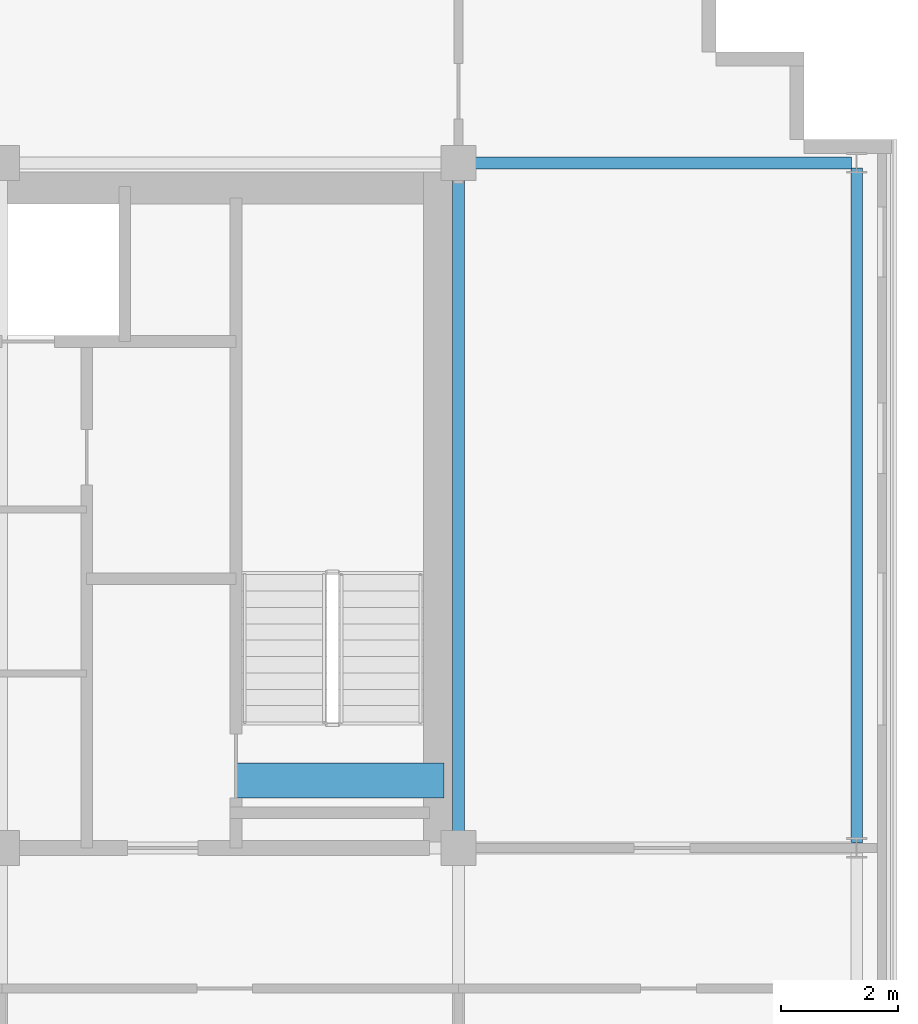
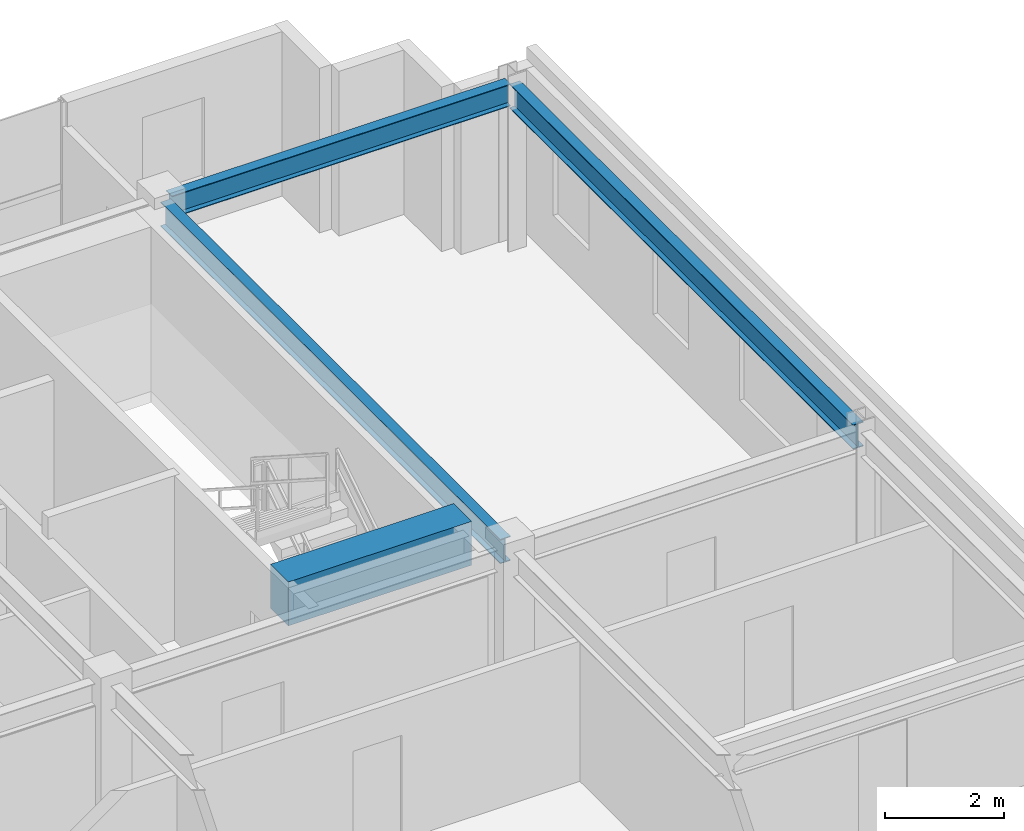
# One storey, part 13 of 21: 4 beams.
"""IFC4 building model written with IfcOpenShell, lengths in metres."""

from ifc_helpers import new_model, si_unit, direction, frame, origin, origin_2d, place, context, subcontext, project, spatial, rectangle, i_section, extrude, source, transform, mapped, material, material_profile, profile_set, type_object, element, save


model = new_model("IFC4")

# Units and contexts
model_context = context("Model", 3, precision=1e-05, world=origin(), true_north=direction((0.0, 1.0)))
body_context = subcontext(model_context, "Body", "Model", "MODEL_VIEW")
ifc_project = project(units=[si_unit("LENGTHUNIT", "METRE"), si_unit("AREAUNIT", "SQUARE_METRE"), si_unit("VOLUMEUNIT", "CUBIC_METRE"), si_unit("PLANEANGLEUNIT", "RADIAN"), si_unit("MASSUNIT", "GRAM", prefix="KILO")], contexts=[model_context])

# Site, building, storey
site_placement = place(None, origin())
site = spatial("IfcSite", under=ifc_project, at=site_placement, CompositionType="ELEMENT")
building_placement = place(site_placement, origin())
building = spatial("IfcBuilding", under=site, at=building_placement, Name="Trelvane Seafront Commons", CompositionType="ELEMENT")
storey_placement = place(building_placement, frame((0.0, 0.0, 255.89990234375)))
storey = spatial("IfcBuildingStorey", under=building, at=storey_placement, Name="L66", CompositionType="ELEMENT", Elevation=255.89990234375)

# Beams
ifc_material_1 = material(Name="Concrete C60/75", Category="concrete")
ifc_material_profile_1 = material_profile(ifc_material_1, rectangle(XDim=0.60009765625, YDim=0.89990234375, at=origin_2d()), Name="RC-600x900")
ifc_profile_set_1 = profile_set([ifc_material_profile_1], Name="Concrete C60/75")
beam_type_1 = type_object("IfcBeamType", Name="STR-LNT-RC600x900", PredefinedType="LINTEL", material=ifc_profile_set_1)
shared_shape_1 = source(origin(), body_context, "Body", "SweptSolid", [
    extrude(rectangle(XDim=0.60009765625, YDim=0.89990234375, at=origin_2d()), origin(), (0.0, 0.0, 1.0), 3.550048828125),
])
beam_1_placement = place(storey_placement, frame((55.0, 34.550048828125, 2.920166015625), z_axis=(1.0, 0.0, 0.0), x_axis=(0.0, 1.0, 0.0)))
element("IfcBeam", 1, at=beam_1_placement, inside=storey, type_object=beam_type_1, Name="L66 Core Coupling Lintel Beam CB-68", PredefinedType="LINTEL", context=body_context, shape_type="MappedRepresentation", body=[
    mapped(shared_shape_1, transform((0.0, 0.0, 0.0), x_axis=(1.0, 0.0, 0.0), y_axis=(0.0, 1.0, 0.0), z_axis=(0.0, 0.0, 1.0), scale=1.0)),
])
ifc_material_2 = material(Name="Steel SM355 (S355)", Category="steel")
ifc_material_profile_2 = material_profile(ifc_material_2, i_section(OverallWidth=0.199951171875, OverallDepth=0.5, WebThickness=0.010009765625, FlangeThickness=0.01611328125, at=origin_2d()), Name="H-500x200x10x16")
ifc_profile_set_2 = profile_set([ifc_material_profile_2], Name="Steel SM355 (S355)")
beam_type_2 = type_object("IfcBeamType", Name="STR-BM-H500", PredefinedType="BEAM", material=ifc_profile_set_2)
shared_shape_2 = source(origin(), body_context, "Body", "SweptSolid", [
    extrude(i_section(OverallWidth=0.199951171875, OverallDepth=0.5, WebThickness=0.010009765625, FlangeThickness=0.01611328125, at=origin_2d()), origin(), (0.0, 0.0, 1.0), 11.39990234375),
])
beam_2_placement = place(storey_placement, frame((58.800048828125, 33.550048828125, 3.1201171875), z_axis=(0.0, 1.0, 0.0), x_axis=(-1.0, 0.0, 0.0)))
element("IfcBeam", 2, at=beam_2_placement, inside=storey, type_object=beam_type_2, Name="L66 Primary Girder G-49", PredefinedType="BEAM", context=body_context, shape_type="MappedRepresentation", body=[
    mapped(shared_shape_2, transform((0.0, 0.0, 0.0), x_axis=(1.0, 0.0, 0.0), y_axis=(0.0, 1.0, 0.0), z_axis=(0.0, 0.0, 1.0), scale=1.0)),
])
ifc_material_profile_3 = material_profile(ifc_material_2, i_section(OverallWidth=0.199951171875, OverallDepth=0.449951171875, WebThickness=0.009033203125, FlangeThickness=0.013916015625, at=origin_2d()), Name="H-450x200x9x14")
ifc_profile_set_3 = profile_set([ifc_material_profile_3], Name="Steel SM355 (S355)")
beam_type_3 = type_object("IfcBeamType", Name="STR-SPD-H450", PredefinedType="SPANDREL", material=ifc_profile_set_3)
shared_shape_3 = source(origin(), body_context, "Body", "SweptSolid", [
    extrude(i_section(OverallWidth=0.199951171875, OverallDepth=0.449951171875, WebThickness=0.009033203125, FlangeThickness=0.013916015625, at=origin_2d()), origin(), (0.0, 0.0, 1.0), 6.5625),
])
beam_3_placement = place(storey_placement, frame((58.949951171875, 45.10009765625, 3.14501953125), z_axis=(1.0, 0.0, 0.0), x_axis=(0.0, 1.0, 0.0)))
element("IfcBeam", 3, at=beam_3_placement, inside=storey, type_object=beam_type_3, Name="L66 Primary Girder G-28", PredefinedType="SPANDREL", context=body_context, shape_type="MappedRepresentation", body=[
    mapped(shared_shape_3, transform((0.0, 0.0, 0.0), x_axis=(1.0, 0.0, 0.0), y_axis=(0.0, 1.0, 0.0), z_axis=(0.0, 0.0, 1.0), scale=1.0)),
])
shared_shape_4 = source(origin(), body_context, "Body", "SweptSolid", [
    extrude(i_section(OverallWidth=0.199951171875, OverallDepth=0.5, WebThickness=0.010009765625, FlangeThickness=0.01611328125, at=origin_2d()), origin(), (0.0, 0.0, 1.0), 11.52490234375),
])
beam_4_placement = place(storey_placement, frame((65.60009765625, 33.487548828125, 3.1201171875), z_axis=(0.0, 1.0, 0.0), x_axis=(-1.0, 0.0, 0.0)))
element("IfcBeam", 4, at=beam_4_placement, inside=storey, type_object=beam_type_2, Name="L66 Primary Girder G-52", PredefinedType="BEAM", context=body_context, shape_type="MappedRepresentation", body=[
    mapped(shared_shape_4, transform((0.0, 0.0, 0.0), x_axis=(1.0, 0.0, 0.0), y_axis=(0.0, 1.0, 0.0), z_axis=(0.0, 0.0, 1.0), scale=1.0)),
])

save(model, "model.ifc")
